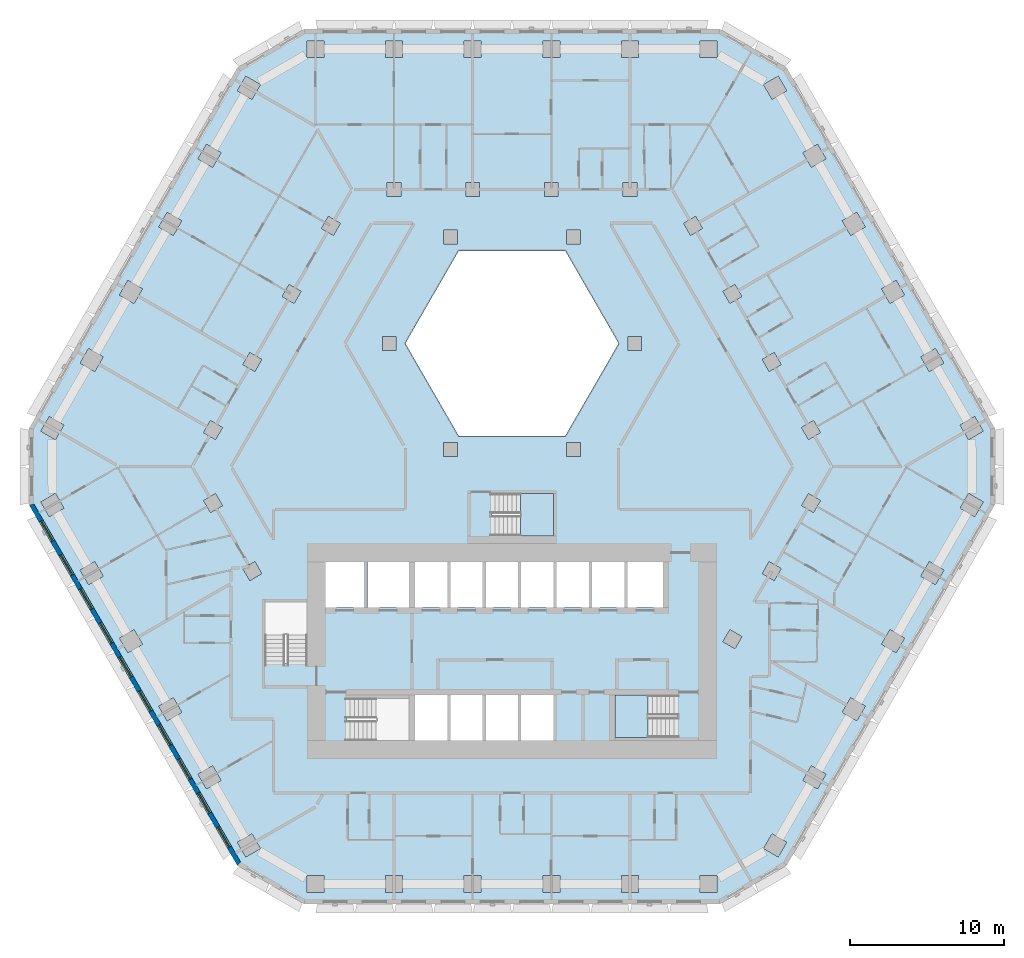
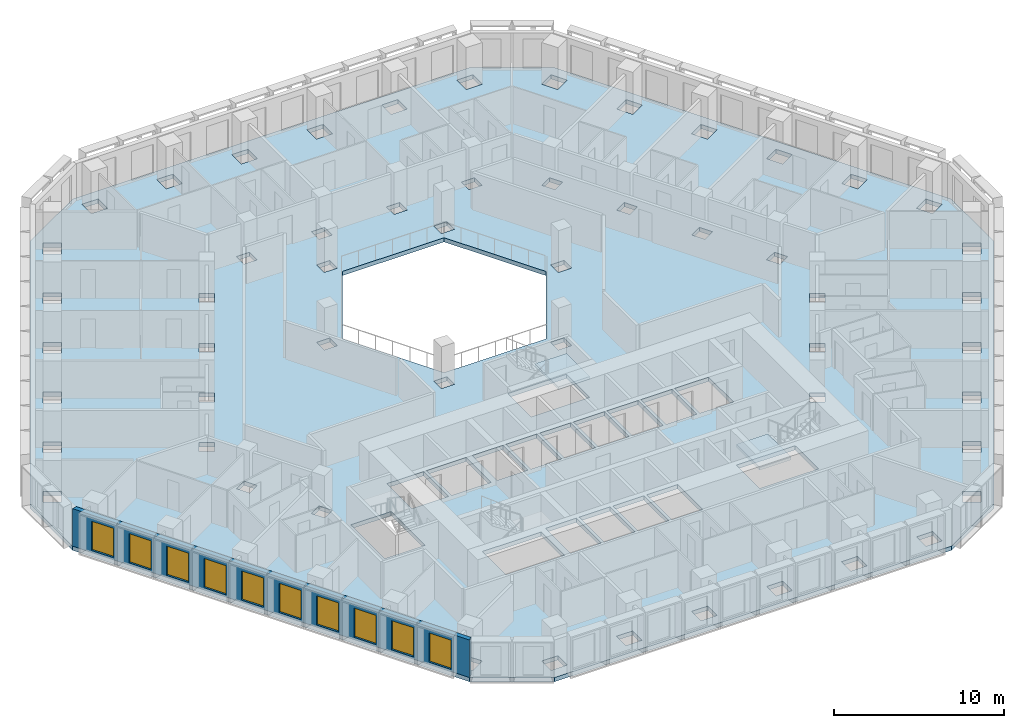
# One storey, part 2 of 21: 10 windows, 3 slabs, 1 wall, 10 openings, 2 elements without a shape of their own.
"""IFC4 building model written with IfcOpenShell, lengths in metres."""

from ifc_helpers import new_model, si_unit, direction, frame, frame_2d, origin, place, context, subcontext, project, spatial, polyline, rectangle, outline, extrude, material, layer, layer_set, type_object, element, fill, aggregate, save


model = new_model("IFC4")

# Units and contexts
model_context = context("Model", 3, precision=1e-05, world=origin(), true_north=direction((0.0, 1.0)))
body_context = subcontext(model_context, "Body", "Model", "MODEL_VIEW")
ifc_project = project(units=[si_unit("LENGTHUNIT", "METRE"), si_unit("AREAUNIT", "SQUARE_METRE"), si_unit("VOLUMEUNIT", "CUBIC_METRE"), si_unit("PLANEANGLEUNIT", "RADIAN"), si_unit("MASSUNIT", "GRAM", prefix="KILO")], contexts=[model_context])

# Site, building, storey
site_placement = place(None, origin())
site = spatial("IfcSite", under=ifc_project, at=site_placement, CompositionType="ELEMENT")
building_placement = place(site_placement, origin())
building = spatial("IfcBuilding", under=site, at=building_placement, Name="Beryl Residences", CompositionType="ELEMENT")
storey_placement = place(building_placement, frame((0.0, 0.0, 53.39990234375)))
storey = spatial("IfcBuildingStorey", under=building, at=storey_placement, Name="L16", CompositionType="ELEMENT", Elevation=53.39990234375)

# Slab
ifc_material_1 = material(Name="Concrete C40/50", Category="concrete")
ifc_layer_1 = layer(ifc_material_1, 0.300048828125)
ifc_layer_set_1 = layer_set([ifc_layer_1], Name="SL7 PT floor slab 300 mm C40/50")
slab_type_1 = type_object("IfcSlabType", Name="SL7 PT floor slab 300 mm C40/50", PredefinedType="FLOOR", material=ifc_layer_set_1)
slab_1_placement = place(storey_placement, frame((0.0, 0.0, -0.2998046875)))
element("IfcSlab", 1, at=slab_1_placement, inside=storey, type_object=slab_type_1, Name="L16 slab 1", PredefinedType="FLOOR", context=body_context, shape_type="SweptSolid", body=[
    extrude(outline(polyline([(31.35009765625, -2.5), (17.840087890625, -25.89990234375), (13.510009765625, -28.39990234375), (-13.510009765625, -28.39990234375), (-17.840087890625, -25.89990234375), (-31.35009765625, -2.5), (-31.35009765625, 2.5), (-17.840087890625, 25.89990234375), (-13.510009765625, 28.39990234375), (13.510009765625, 28.39990234375), (17.840087890625, 25.89990234375), (31.35009765625, 2.5), (31.35009765625, -2.5)]), holes=[polyline([(30.60009765625, -2.298095703125), (29.64794921875, -1.748046875), (29.097900390625, -2.699951171875), (30.050048828125, -3.25), (30.60009765625, -2.298095703125)]), polyline([(30.59912109375, 2.299072265625), (30.049072265625, 3.2509765625), (29.096923828125, 2.700927734375), (29.64697265625, 1.7490234375), (30.59912109375, 2.299072265625)]), polyline([(28.049072265625, -6.718017578125), (27.096923828125, -6.16796875), (26.547119140625, -7.1201171875), (27.4990234375, -7.669921875), (28.049072265625, -6.718017578125)]), polyline([(27.498046875, 7.672119140625), (26.5458984375, 7.1220703125), (27.095947265625, 6.169921875), (28.048095703125, 6.719970703125), (27.498046875, 7.672119140625)]), polyline([(24.544921875, -10.587890625), (23.9951171875, -11.5400390625), (24.947021484375, -12.090087890625), (25.4970703125, -11.137939453125), (24.544921875, -10.587890625)]), polyline([(25.49609375, 11.139892578125), (24.946044921875, 12.092041015625), (23.993896484375, 11.5419921875), (24.5439453125, 10.590087890625), (25.49609375, 11.139892578125)]), polyline([(22.39501953125, -16.510009765625), (22.945068359375, -15.55810546875), (21.992919921875, -15.008056640625), (21.443115234375, -15.9599609375), (22.39501953125, -16.510009765625)]), polyline([(22.39404296875, 16.511962890625), (21.44189453125, 15.9619140625), (21.991943359375, 15.010009765625), (22.944091796875, 15.56005859375), (22.39404296875, 16.511962890625)]), polyline([(20.39306640625, -19.97900390625), (19.44091796875, -19.428955078125), (18.89111328125, -20.381103515625), (19.843017578125, -20.930908203125), (20.39306640625, -19.97900390625)]), polyline([(19.842041015625, 20.931884765625), (18.889892578125, 20.382080078125), (19.43994140625, 19.429931640625), (20.39208984375, 19.97998046875), (19.842041015625, 20.931884765625)]), polyline([(20.031982421875, -2.2041015625), (19.251953125, -1.75390625), (18.802001953125, -2.533935546875), (19.58203125, -2.98388671875), (20.031982421875, -2.2041015625)]), polyline([(20.031005859375, 2.2060546875), (19.5810546875, 2.986083984375), (18.801025390625, 2.535888671875), (19.2509765625, 1.756103515625), (20.031005859375, 2.2060546875)]), polyline([(17.841064453125, -24.39892578125), (16.888916015625, -23.84912109375), (16.339111328125, -24.801025390625), (17.291015625, -25.35107421875), (17.841064453125, -24.39892578125)]), polyline([(17.840087890625, 24.39990234375), (17.2900390625, 25.35205078125), (16.337890625, 24.802001953125), (16.887939453125, 23.85009765625), (17.840087890625, 24.39990234375)]), polyline([(17.47998046875, -6.6240234375), (16.699951171875, -6.174072265625), (16.25, -6.9541015625), (17.030029296875, -7.404052734375), (17.47998046875, -6.6240234375)]), polyline([(17.029052734375, 7.406005859375), (16.2490234375, 6.9560546875), (16.698974609375, 6.176025390625), (17.47900390625, 6.6259765625), (17.029052734375, 7.406005859375)]), polyline([(14.927978515625, -11.0439453125), (14.14794921875, -10.593994140625), (13.697998046875, -11.3740234375), (14.47802734375, -11.823974609375), (14.927978515625, -11.0439453125)]), polyline([(14.927001953125, 11.0458984375), (14.47705078125, 11.825927734375), (13.697021484375, 11.3759765625), (14.14697265625, 10.595947265625), (14.927001953125, 11.0458984375)]), polyline([(13.31103515625, -27.64990234375), (13.31103515625, -26.550048828125), (12.2109375, -26.550048828125), (12.2109375, -27.64990234375), (13.31103515625, -27.64990234375)]), polyline([(13.30908203125, 27.64990234375), (12.208984375, 27.64990234375), (12.208984375, 26.550048828125), (13.30908203125, 26.550048828125), (13.30908203125, 27.64990234375)]), polyline([(11.925048828125, 16.24609375), (11.14501953125, 15.7958984375), (11.594970703125, 15.01611328125), (12.375, 15.466064453125), (11.925048828125, 16.24609375)]), polyline([(10.699951171875, -14.85009765625), (6.699951171875, -14.85009765625), (6.699951171875, -17.60009765625), (10.699951171875, -17.60009765625), (10.699951171875, -14.85009765625)]), polyline([(9.800048828125, -6.199951171875), (7.5, -6.199951171875), (7.5, -9.14990234375), (9.800048828125, -9.14990234375), (9.800048828125, -6.199951171875)]), polyline([(8.4169921875, 7.550048828125), (8.4169921875, 8.449951171875), (7.51708984375, 8.449951171875), (7.51708984375, 7.550048828125), (8.4169921875, 7.550048828125)]), polyline([(7.10693359375, -27.64990234375), (8.20703125, -27.64990234375), (8.20703125, -26.550048828125), (7.10693359375, -26.550048828125), (7.10693359375, -27.64990234375)]), polyline([(8.205078125, 27.64990234375), (7.10498046875, 27.64990234375), (7.10498046875, 26.550048828125), (8.205078125, 26.550048828125), (8.205078125, 27.64990234375)]), polyline([(7.205078125, 18.449951171875), (7.205078125, 17.550048828125), (8.10498046875, 17.550048828125), (8.10498046875, 18.449951171875), (7.205078125, 18.449951171875)]), polyline([(5.199951171875, -9.14990234375), (7.300048828125, -9.14990234375), (7.300048828125, -6.199951171875), (5.199951171875, -6.199951171875), (5.199951171875, -9.14990234375)]), polyline([(3.464111328125, 14.0), (-3.464111328125, 14.0), (-6.92822265625, 8.0), (-3.464111328125, 2.0), (3.464111328125, 2.0), (6.92822265625, 8.0), (3.464111328125, 14.0)]), polyline([(2.89990234375, -6.199951171875), (2.89990234375, -9.14990234375), (5.0, -9.14990234375), (5.0, -6.199951171875), (2.89990234375, -6.199951171875)]), polyline([(4.43408203125, 15.35009765625), (3.533935546875, 15.35009765625), (3.533935546875, 14.449951171875), (4.43408203125, 14.449951171875), (4.43408203125, 15.35009765625)]), polyline([(4.43408203125, 0.64990234375), (4.43408203125, 1.550048828125), (3.533935546875, 1.550048828125), (3.533935546875, 0.64990234375), (4.43408203125, 0.64990234375)]), polyline([(3.10302734375, -27.64990234375), (3.10302734375, -26.550048828125), (2.0029296875, -26.550048828125), (2.0029296875, -27.64990234375), (3.10302734375, -27.64990234375)]), polyline([(2.0009765625, 27.64990234375), (2.0009765625, 26.550048828125), (3.10107421875, 26.550048828125), (3.10107421875, 27.64990234375), (2.0009765625, 27.64990234375)]), polyline([(3.0009765625, 18.449951171875), (2.10107421875, 18.449951171875), (2.10107421875, 17.550048828125), (3.0009765625, 17.550048828125), (3.0009765625, 18.449951171875)]), polyline([(-1.300048828125, -1.75), (-1.300048828125, -4.5), (2.699951171875, -4.5), (2.699951171875, -1.75), (-1.300048828125, -1.75)]), polyline([(0.60009765625, -9.14990234375), (2.699951171875, -9.14990234375), (2.699951171875, -6.199951171875), (0.60009765625, -6.199951171875), (0.60009765625, -9.14990234375)]), polyline([(0.60009765625, -17.800048828125), (2.699951171875, -17.800048828125), (2.699951171875, -14.85009765625), (0.60009765625, -14.85009765625), (0.60009765625, -17.800048828125)]), polyline([(-1.699951171875, -6.199951171875), (-1.699951171875, -9.14990234375), (0.39990234375, -9.14990234375), (0.39990234375, -6.199951171875), (-1.699951171875, -6.199951171875)]), polyline([(-1.699951171875, -14.85009765625), (-1.699951171875, -17.800048828125), (0.39990234375, -17.800048828125), (0.39990234375, -14.85009765625), (-1.699951171875, -14.85009765625)]), polyline([(-4.0, -9.14990234375), (-1.89990234375, -9.14990234375), (-1.89990234375, -6.199951171875), (-4.0, -6.199951171875), (-4.0, -9.14990234375)]), polyline([(-4.0, -17.800048828125), (-1.89990234375, -17.800048828125), (-1.89990234375, -14.85009765625), (-4.0, -14.85009765625), (-4.0, -17.800048828125)]), polyline([(-2.0009765625, -27.64990234375), (-2.0009765625, -26.550048828125), (-3.10107421875, -26.550048828125), (-3.10107421875, -27.64990234375), (-2.0009765625, -27.64990234375)]), polyline([(-3.10302734375, 27.64990234375), (-3.10302734375, 26.550048828125), (-2.0029296875, 26.550048828125), (-2.0029296875, 27.64990234375), (-3.10302734375, 27.64990234375)]), polyline([(-2.10302734375, 18.449951171875), (-3.0029296875, 18.449951171875), (-3.0029296875, 17.550048828125), (-2.10302734375, 17.550048828125), (-2.10302734375, 18.449951171875)]), polyline([(-3.533935546875, 14.449951171875), (-3.533935546875, 15.35009765625), (-4.43408203125, 15.35009765625), (-4.43408203125, 14.449951171875), (-3.533935546875, 14.449951171875)]), polyline([(-3.533935546875, 0.64990234375), (-3.533935546875, 1.550048828125), (-4.43408203125, 1.550048828125), (-4.43408203125, 0.64990234375), (-3.533935546875, 0.64990234375)]), polyline([(-6.300048828125, -9.14990234375), (-4.199951171875, -9.14990234375), (-4.199951171875, -6.199951171875), (-6.300048828125, -6.199951171875), (-6.300048828125, -9.14990234375)]), polyline([(-6.300048828125, -14.85009765625), (-6.300048828125, -17.800048828125), (-4.199951171875, -17.800048828125), (-4.199951171875, -14.85009765625), (-6.300048828125, -14.85009765625)]), polyline([(-6.699951171875, -17.800048828125), (-6.699951171875, -15.050048828125), (-10.699951171875, -15.050048828125), (-10.699951171875, -17.800048828125), (-6.699951171875, -17.800048828125)]), polyline([(-9.39990234375, -6.199951171875), (-9.39990234375, -9.14990234375), (-6.699951171875, -9.14990234375), (-6.699951171875, -6.199951171875), (-9.39990234375, -6.199951171875)]), polyline([(-8.205078125, -27.64990234375), (-7.10498046875, -27.64990234375), (-7.10498046875, -26.550048828125), (-8.205078125, -26.550048828125), (-8.205078125, -27.64990234375)]), polyline([(-7.10693359375, 27.64990234375), (-8.20703125, 27.64990234375), (-8.20703125, 26.550048828125), (-7.10693359375, 26.550048828125), (-7.10693359375, 27.64990234375)]), polyline([(-8.10693359375, 18.449951171875), (-8.10693359375, 17.550048828125), (-7.20703125, 17.550048828125), (-7.20703125, 18.449951171875), (-8.10693359375, 18.449951171875)]), polyline([(-8.4169921875, 7.550048828125), (-7.51708984375, 7.550048828125), (-7.51708984375, 8.449951171875), (-8.4169921875, 8.449951171875), (-8.4169921875, 7.550048828125)]), polyline([(-12.10009765625, -6.199951171875), (-12.10009765625, -9.14990234375), (-9.60009765625, -9.14990234375), (-9.60009765625, -6.199951171875), (-12.10009765625, -6.199951171875)]), polyline([(-12.3759765625, 15.465087890625), (-11.595947265625, 15.014892578125), (-11.14599609375, 15.794921875), (-11.926025390625, 16.2451171875), (-12.3759765625, 15.465087890625)]), polyline([(-12.208984375, -26.550048828125), (-13.30908203125, -26.550048828125), (-13.30908203125, -27.64990234375), (-12.208984375, -27.64990234375), (-12.208984375, -26.550048828125)]), polyline([(-13.31103515625, 27.64990234375), (-13.31103515625, 26.550048828125), (-12.2109375, 26.550048828125), (-12.2109375, 27.64990234375), (-13.31103515625, 27.64990234375)]), polyline([(-13.300048828125, -8.800048828125), (-16.050048828125, -8.800048828125), (-16.050048828125, -12.800048828125), (-13.300048828125, -12.800048828125), (-13.300048828125, -8.800048828125)]), polyline([(-14.47802734375, 11.823974609375), (-14.927978515625, 11.0439453125), (-14.14794921875, 10.593994140625), (-13.697998046875, 11.3740234375), (-14.47802734375, 11.823974609375)]), polyline([(-17.029052734375, -7.406005859375), (-16.2490234375, -6.9560546875), (-16.698974609375, -6.176025390625), (-17.47900390625, -6.6259765625), (-17.029052734375, -7.406005859375)]), polyline([(-17.47998046875, 6.6240234375), (-16.699951171875, 6.174072265625), (-16.25, 6.9541015625), (-17.030029296875, 7.404052734375), (-17.47998046875, 6.6240234375)]), polyline([(-17.2900390625, -25.35205078125), (-16.337890625, -24.802001953125), (-16.887939453125, -23.85009765625), (-17.840087890625, -24.39990234375), (-17.2900390625, -25.35205078125)]), polyline([(-17.841064453125, 24.39892578125), (-16.888916015625, 23.84912109375), (-16.339111328125, 24.801025390625), (-17.291015625, 25.35107421875), (-17.841064453125, 24.39892578125)]), polyline([(-20.031005859375, -2.2060546875), (-19.5810546875, -2.986083984375), (-18.801025390625, -2.535888671875), (-19.2509765625, -1.756103515625), (-20.031005859375, -2.2060546875)]), polyline([(-19.58203125, 2.98388671875), (-20.031982421875, 2.2041015625), (-19.251953125, 1.75390625), (-18.802001953125, 2.533935546875), (-19.58203125, 2.98388671875)]), polyline([(-19.842041015625, -20.931884765625), (-18.889892578125, -20.382080078125), (-19.43994140625, -19.429931640625), (-20.39208984375, -19.97998046875), (-19.842041015625, -20.931884765625)]), polyline([(-20.39306640625, 19.97900390625), (-19.44091796875, 19.428955078125), (-18.89111328125, 20.381103515625), (-19.843017578125, 20.930908203125), (-20.39306640625, 19.97900390625)]), polyline([(-22.39404296875, -16.511962890625), (-21.44189453125, -15.9619140625), (-21.991943359375, -15.010009765625), (-22.944091796875, -15.56005859375), (-22.39404296875, -16.511962890625)]), polyline([(-22.945068359375, 15.55810546875), (-21.992919921875, 15.008056640625), (-21.443115234375, 15.9599609375), (-22.39501953125, 16.510009765625), (-22.945068359375, 15.55810546875)]), polyline([(-24.946044921875, -12.092041015625), (-23.993896484375, -11.5419921875), (-24.5439453125, -10.590087890625), (-25.49609375, -11.139892578125), (-24.946044921875, -12.092041015625)]), polyline([(-24.544921875, 10.587890625), (-23.9951171875, 11.5400390625), (-24.947021484375, 12.090087890625), (-25.4970703125, 11.137939453125), (-24.544921875, 10.587890625)]), polyline([(-27.498046875, -7.672119140625), (-26.5458984375, -7.1220703125), (-27.095947265625, -6.169921875), (-28.048095703125, -6.719970703125), (-27.498046875, -7.672119140625)]), polyline([(-28.049072265625, 6.718017578125), (-27.096923828125, 6.16796875), (-26.547119140625, 7.1201171875), (-27.4990234375, 7.669921875), (-28.049072265625, 6.718017578125)]), polyline([(-29.096923828125, -2.700927734375), (-29.64697265625, -1.7490234375), (-30.59912109375, -2.299072265625), (-30.049072265625, -3.2509765625), (-29.096923828125, -2.700927734375)]), polyline([(-30.60009765625, 2.298095703125), (-29.64794921875, 1.748046875), (-29.097900390625, 2.699951171875), (-30.050048828125, 3.25), (-30.60009765625, 2.298095703125)])]), origin(), (0.0, 0.0, 1.0), 0.2998046875),
])

# Stair, slab
ifc_material_2 = material(Name="Concrete C40/50", Category="concrete")
stair_type = type_object("IfcStairType", Name="ST1 protected exit stair, half-turn, 1300 mm flights", PredefinedType="HALF_TURN_STAIR", material=ifc_material_2)
stair_1_placement = place(storey_placement, origin())
stair_1 = element("IfcStair", 2, at=stair_1_placement, inside=storey, type_object=stair_type, Name="L16 PROTECTED EXIT STAIR ST-3", PredefinedType="HALF_TURN_STAIR")
ifc_material_3 = material(Name="Concrete C40/50", Category="concrete")
ifc_layer_2 = layer(ifc_material_3, 0.199951171875)
ifc_layer_set_2 = layer_set([ifc_layer_2], Name="SLD1 stair landing 200 mm")
slab_type_2 = type_object("IfcSlabType", Name="SLD1 stair landing 200 mm", PredefinedType="LANDING", material=ifc_layer_set_2)
slab_2_placement = place(storey_placement, frame((0.0, 0.0, 1.300048828125)))
slab_2 = element("IfcSlab", 3, at=slab_2_placement, type_object=slab_type_2, Name="ST-3 landing 1", PredefinedType="LANDING", context=body_context, shape_type="SweptSolid", body=[
    extrude(outline(polyline([(8.840087890625, -14.85009765625), (6.699951171875, -14.85009765625), (6.699951171875, -17.60009765625), (8.840087890625, -17.60009765625), (8.840087890625, -14.85009765625)])), origin(), (0.0, 0.0, 1.0), 0.199951171875),
])
aggregate(stair_1, [slab_2])

stair_2_placement = place(storey_placement, origin())
stair_2 = element("IfcStair", 4, at=stair_2_placement, inside=storey, type_object=stair_type, Name="L16 PROTECTED EXIT STAIR ST-4", PredefinedType="HALF_TURN_STAIR")
slab_3_placement = place(storey_placement, frame((0.0, 0.0, 1.300048828125)))
slab_3 = element("IfcSlab", 5, at=slab_3_placement, type_object=slab_type_2, Name="ST-4 landing 1", PredefinedType="LANDING", context=body_context, shape_type="SweptSolid", body=[
    extrude(outline(polyline([(0.56005859375, -4.5), (2.699951171875, -4.5), (2.699951171875, -1.75), (0.56005859375, -1.75), (0.56005859375, -4.5)])), origin(), (0.0, 0.0, 1.0), 0.199951171875),
])
aggregate(stair_2, [slab_3])

# Wall, openings, windows
ifc_material_4 = material(Name="Composite metal panel with mineral wool insulation")
ifc_layer_3 = layer(ifc_material_4, 0.300048828125)
ifc_layer_set_3 = layer_set([ifc_layer_3], Name="ES1 pale metal composite panel wall 300 mm")
wall_type = type_object("IfcWallType", Name="ES1 pale metal composite panel wall 300 mm", PredefinedType="SOLIDWALL", material=ifc_layer_set_3)
wall_placement = place(storey_placement, frame((-31.219970703125, -2.425048828125, 0.0), z_axis=(0.0, 0.0, 1.0), x_axis=(0.500001938803, -0.866024284413, 0.0)))
wall = element("IfcWall", 6, at=wall_placement, inside=storey, type_object=wall_type, Name="ES1 external wall L16 SW", PredefinedType="SOLIDWALL", context=body_context, shape_type="SweptSolid", body=[
    extrude(outline(polyline([(0.0, -0.14990234375), (27.02001953125, -0.14990234375), (26.939697265625, 0.14990234375), (0.080322265625, 0.14990234375), (0.0, -0.14990234375)])), origin(), (0.0, 0.0, 1.0), 2.7001953125),
])
opening_1_placement = place(wall_placement, frame((1.277099609375, 0.0, 0.14990234375)))
opening_1 = element("IfcOpeningElement", 7, at=opening_1_placement, cuts=wall, Name="Opening W1", PredefinedType="OPENING", context=body_context, shape_type="SweptSolid", body=[
    extrude(rectangle(XDim=1.5, YDim=2.10009765625, at=frame_2d((0.75, 1.050048828125))), frame((0.0, 0.159912109375, 0.0), z_axis=(0.0, -1.0, 0.0), x_axis=(1.0, 0.0, 0.0)), (0.0, 0.0, 1.0), 0.320068359375),
])
opening_2_placement = place(wall_placement, frame((3.8291015625, 0.0, 0.14990234375)))
opening_2 = element("IfcOpeningElement", 8, at=opening_2_placement, cuts=wall, Name="Opening W1", PredefinedType="OPENING", context=body_context, shape_type="SweptSolid", body=[
    extrude(rectangle(XDim=1.5, YDim=2.10009765625, at=frame_2d((0.75, 1.050048828125))), frame((0.0, 0.159912109375, 0.0), z_axis=(0.0, -1.0, 0.0), x_axis=(1.0, 0.0, 0.0)), (0.0, 0.0, 1.0), 0.320068359375),
])
opening_3_placement = place(wall_placement, frame((6.382080078125, 0.0, 0.14990234375)))
opening_3 = element("IfcOpeningElement", 9, at=opening_3_placement, cuts=wall, Name="Opening W1", PredefinedType="OPENING", context=body_context, shape_type="SweptSolid", body=[
    extrude(rectangle(XDim=1.5, YDim=2.10009765625, at=frame_2d((0.75, 1.050048828125))), frame((0.0, 0.159912109375, 0.0), z_axis=(0.0, -1.0, 0.0), x_axis=(1.0, 0.0, 0.0)), (0.0, 0.0, 1.0), 0.320068359375),
])
opening_4_placement = place(wall_placement, frame((8.93310546875, 0.0, 0.14990234375)))
opening_4 = element("IfcOpeningElement", 10, at=opening_4_placement, cuts=wall, Name="Opening W1", PredefinedType="OPENING", context=body_context, shape_type="SweptSolid", body=[
    extrude(rectangle(XDim=1.5, YDim=2.10009765625, at=frame_2d((0.75, 1.050048828125))), frame((0.0, 0.159912109375, 0.0), z_axis=(0.0, -1.0, 0.0), x_axis=(1.0, 0.0, 0.0)), (0.0, 0.0, 1.0), 0.320068359375),
])
opening_5_placement = place(wall_placement, frame((11.485107421875, 0.0, 0.14990234375)))
opening_5 = element("IfcOpeningElement", 11, at=opening_5_placement, cuts=wall, Name="Opening W1", PredefinedType="OPENING", context=body_context, shape_type="SweptSolid", body=[
    extrude(rectangle(XDim=1.5, YDim=2.10009765625, at=frame_2d((0.75, 1.050048828125))), frame((0.0, 0.159912109375, 0.0), z_axis=(0.0, -1.0, 0.0), x_axis=(1.0, 0.0, 0.0)), (0.0, 0.0, 1.0), 0.320068359375),
])
opening_6_placement = place(wall_placement, frame((14.037109375, 0.0, 0.14990234375)))
opening_6 = element("IfcOpeningElement", 12, at=opening_6_placement, cuts=wall, Name="Opening W1", PredefinedType="OPENING", context=body_context, shape_type="SweptSolid", body=[
    extrude(rectangle(XDim=1.5, YDim=2.10009765625, at=frame_2d((0.75, 1.050048828125))), frame((0.0, 0.159912109375, 0.0), z_axis=(0.0, -1.0, 0.0), x_axis=(1.0, 0.0, 0.0)), (0.0, 0.0, 1.0), 0.320068359375),
])
opening_7_placement = place(wall_placement, frame((16.589111328125, 0.0, 0.14990234375)))
opening_7 = element("IfcOpeningElement", 13, at=opening_7_placement, cuts=wall, Name="Opening W1", PredefinedType="OPENING", context=body_context, shape_type="SweptSolid", body=[
    extrude(rectangle(XDim=1.5, YDim=2.10009765625, at=frame_2d((0.75, 1.050048828125))), frame((0.0, 0.159912109375, 0.0), z_axis=(0.0, -1.0, 0.0), x_axis=(1.0, 0.0, 0.0)), (0.0, 0.0, 1.0), 0.320068359375),
])
opening_8_placement = place(wall_placement, frame((19.14111328125, 0.0, 0.14990234375)))
opening_8 = element("IfcOpeningElement", 14, at=opening_8_placement, cuts=wall, Name="Opening W1", PredefinedType="OPENING", context=body_context, shape_type="SweptSolid", body=[
    extrude(rectangle(XDim=1.5, YDim=2.10009765625, at=frame_2d((0.75, 1.050048828125))), frame((0.0, 0.159912109375, 0.0), z_axis=(0.0, -1.0, 0.0), x_axis=(1.0, 0.0, 0.0)), (0.0, 0.0, 1.0), 0.320068359375),
])
opening_9_placement = place(wall_placement, frame((21.693115234375, 0.0, 0.14990234375)))
opening_9 = element("IfcOpeningElement", 15, at=opening_9_placement, cuts=wall, Name="Opening W1", PredefinedType="OPENING", context=body_context, shape_type="SweptSolid", body=[
    extrude(rectangle(XDim=1.5, YDim=2.10009765625, at=frame_2d((0.75, 1.050048828125))), frame((0.0, 0.159912109375, 0.0), z_axis=(0.0, -1.0, 0.0), x_axis=(1.0, 0.0, 0.0)), (0.0, 0.0, 1.0), 0.320068359375),
])
opening_10_placement = place(wall_placement, frame((24.243896484375, 0.0, 0.14990234375)))
opening_10 = element("IfcOpeningElement", 16, at=opening_10_placement, cuts=wall, Name="Opening W1", PredefinedType="OPENING", context=body_context, shape_type="SweptSolid", body=[
    extrude(rectangle(XDim=1.5, YDim=2.10009765625, at=frame_2d((0.75, 1.050048828125))), frame((0.0, 0.159912109375, 0.0), z_axis=(0.0, -1.0, 0.0), x_axis=(1.0, 0.0, 0.0)), (0.0, 0.0, 1.0), 0.320068359375),
])
ifc_material_5 = material(Name="Aluminium and clear glass", Category="aluminium")
window_type = type_object("IfcWindowType", Name="W1 cell window 1500 x 2100 mm", PartitioningType="SINGLE_PANEL", PredefinedType="WINDOW", material=ifc_material_5)
window_1_placement = place(opening_1_placement, origin())
window_1 = element("IfcWindow", 17, at=window_1_placement, inside=storey, type_object=window_type, Name="W1 window L16 SW 1", OverallHeight=2.10009765625, OverallWidth=1.5, PartitioningType="SINGLE_PANEL", PredefinedType="WINDOW", context=body_context, shape_type="SweptSolid", body=[
    extrude(rectangle(XDim=1.5, YDim=2.10009765625, at=frame_2d((0.75, 1.050048828125))), frame((0.0, 0.030029296875, 0.0), z_axis=(0.0, -1.0, 0.0), x_axis=(1.0, 0.0, 0.0)), (0.0, 0.0, 1.0), 0.06005859375),
])
fill(opening_1, window_1)
window_2_placement = place(opening_2_placement, origin())
window_2 = element("IfcWindow", 18, at=window_2_placement, inside=storey, type_object=window_type, Name="W1 window L16 SW 2", OverallHeight=2.10009765625, OverallWidth=1.5, PartitioningType="SINGLE_PANEL", PredefinedType="WINDOW", context=body_context, shape_type="SweptSolid", body=[
    extrude(rectangle(XDim=1.5, YDim=2.10009765625, at=frame_2d((0.75, 1.050048828125))), frame((0.0, 0.030029296875, 0.0), z_axis=(0.0, -1.0, 0.0), x_axis=(1.0, 0.0, 0.0)), (0.0, 0.0, 1.0), 0.06005859375),
])
fill(opening_2, window_2)
window_3_placement = place(opening_3_placement, origin())
window_3 = element("IfcWindow", 19, at=window_3_placement, inside=storey, type_object=window_type, Name="W1 window L16 SW 3", OverallHeight=2.10009765625, OverallWidth=1.5, PartitioningType="SINGLE_PANEL", PredefinedType="WINDOW", context=body_context, shape_type="SweptSolid", body=[
    extrude(rectangle(XDim=1.5, YDim=2.10009765625, at=frame_2d((0.75, 1.050048828125))), frame((0.0, 0.030029296875, 0.0), z_axis=(0.0, -1.0, 0.0), x_axis=(1.0, 0.0, 0.0)), (0.0, 0.0, 1.0), 0.06005859375),
])
fill(opening_3, window_3)
window_4_placement = place(opening_4_placement, origin())
window_4 = element("IfcWindow", 20, at=window_4_placement, inside=storey, type_object=window_type, Name="W1 window L16 SW 4", OverallHeight=2.10009765625, OverallWidth=1.5, PartitioningType="SINGLE_PANEL", PredefinedType="WINDOW", context=body_context, shape_type="SweptSolid", body=[
    extrude(rectangle(XDim=1.5, YDim=2.10009765625, at=frame_2d((0.75, 1.050048828125))), frame((0.0, 0.030029296875, 0.0), z_axis=(0.0, -1.0, 0.0), x_axis=(1.0, 0.0, 0.0)), (0.0, 0.0, 1.0), 0.06005859375),
])
fill(opening_4, window_4)
window_5_placement = place(opening_5_placement, origin())
window_5 = element("IfcWindow", 21, at=window_5_placement, inside=storey, type_object=window_type, Name="W1 window L16 SW 5", OverallHeight=2.10009765625, OverallWidth=1.5, PartitioningType="SINGLE_PANEL", PredefinedType="WINDOW", context=body_context, shape_type="SweptSolid", body=[
    extrude(rectangle(XDim=1.5, YDim=2.10009765625, at=frame_2d((0.75, 1.050048828125))), frame((0.0, 0.030029296875, 0.0), z_axis=(0.0, -1.0, 0.0), x_axis=(1.0, 0.0, 0.0)), (0.0, 0.0, 1.0), 0.06005859375),
])
fill(opening_5, window_5)
window_6_placement = place(opening_6_placement, origin())
window_6 = element("IfcWindow", 22, at=window_6_placement, inside=storey, type_object=window_type, Name="W1 window L16 SW 6", OverallHeight=2.10009765625, OverallWidth=1.5, PartitioningType="SINGLE_PANEL", PredefinedType="WINDOW", context=body_context, shape_type="SweptSolid", body=[
    extrude(rectangle(XDim=1.5, YDim=2.10009765625, at=frame_2d((0.75, 1.050048828125))), frame((0.0, 0.030029296875, 0.0), z_axis=(0.0, -1.0, 0.0), x_axis=(1.0, 0.0, 0.0)), (0.0, 0.0, 1.0), 0.06005859375),
])
fill(opening_6, window_6)
window_7_placement = place(opening_7_placement, origin())
window_7 = element("IfcWindow", 23, at=window_7_placement, inside=storey, type_object=window_type, Name="W1 window L16 SW 7", OverallHeight=2.10009765625, OverallWidth=1.5, PartitioningType="SINGLE_PANEL", PredefinedType="WINDOW", context=body_context, shape_type="SweptSolid", body=[
    extrude(rectangle(XDim=1.5, YDim=2.10009765625, at=frame_2d((0.75, 1.050048828125))), frame((0.0, 0.030029296875, 0.0), z_axis=(0.0, -1.0, 0.0), x_axis=(1.0, 0.0, 0.0)), (0.0, 0.0, 1.0), 0.06005859375),
])
fill(opening_7, window_7)
window_8_placement = place(opening_8_placement, origin())
window_8 = element("IfcWindow", 24, at=window_8_placement, inside=storey, type_object=window_type, Name="W1 window L16 SW 8", OverallHeight=2.10009765625, OverallWidth=1.5, PartitioningType="SINGLE_PANEL", PredefinedType="WINDOW", context=body_context, shape_type="SweptSolid", body=[
    extrude(rectangle(XDim=1.5, YDim=2.10009765625, at=frame_2d((0.75, 1.050048828125))), frame((0.0, 0.030029296875, 0.0), z_axis=(0.0, -1.0, 0.0), x_axis=(1.0, 0.0, 0.0)), (0.0, 0.0, 1.0), 0.06005859375),
])
fill(opening_8, window_8)
window_9_placement = place(opening_9_placement, origin())
window_9 = element("IfcWindow", 25, at=window_9_placement, inside=storey, type_object=window_type, Name="W1 window L16 SW 9", OverallHeight=2.10009765625, OverallWidth=1.5, PartitioningType="SINGLE_PANEL", PredefinedType="WINDOW", context=body_context, shape_type="SweptSolid", body=[
    extrude(rectangle(XDim=1.5, YDim=2.10009765625, at=frame_2d((0.75, 1.050048828125))), frame((0.0, 0.030029296875, 0.0), z_axis=(0.0, -1.0, 0.0), x_axis=(1.0, 0.0, 0.0)), (0.0, 0.0, 1.0), 0.06005859375),
])
fill(opening_9, window_9)
window_10_placement = place(opening_10_placement, origin())
window_10 = element("IfcWindow", 26, at=window_10_placement, inside=storey, type_object=window_type, Name="W1 window L16 SW 10", OverallHeight=2.10009765625, OverallWidth=1.5, PartitioningType="SINGLE_PANEL", PredefinedType="WINDOW", context=body_context, shape_type="SweptSolid", body=[
    extrude(rectangle(XDim=1.5, YDim=2.10009765625, at=frame_2d((0.75, 1.050048828125))), frame((0.0, 0.030029296875, 0.0), z_axis=(0.0, -1.0, 0.0), x_axis=(1.0, 0.0, 0.0)), (0.0, 0.0, 1.0), 0.06005859375),
])
fill(opening_10, window_10)

save(model, "model.ifc")
